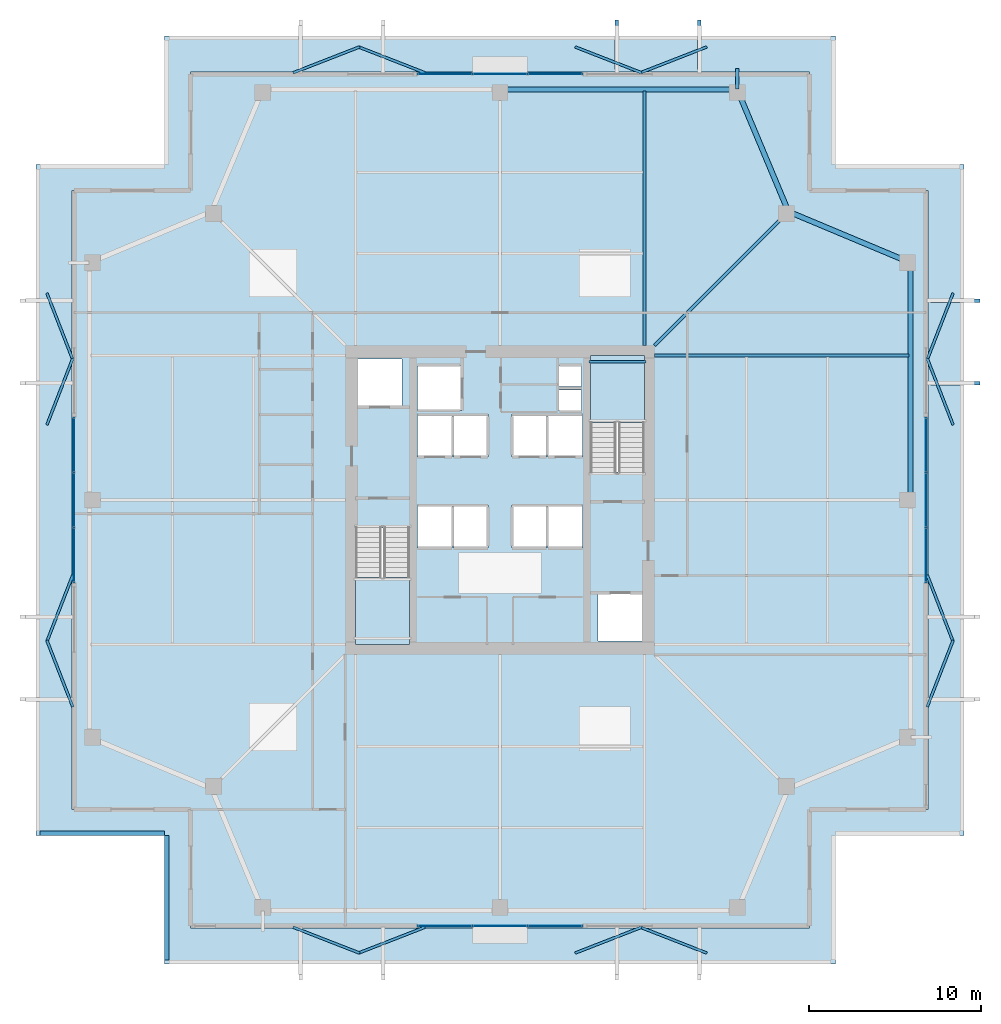
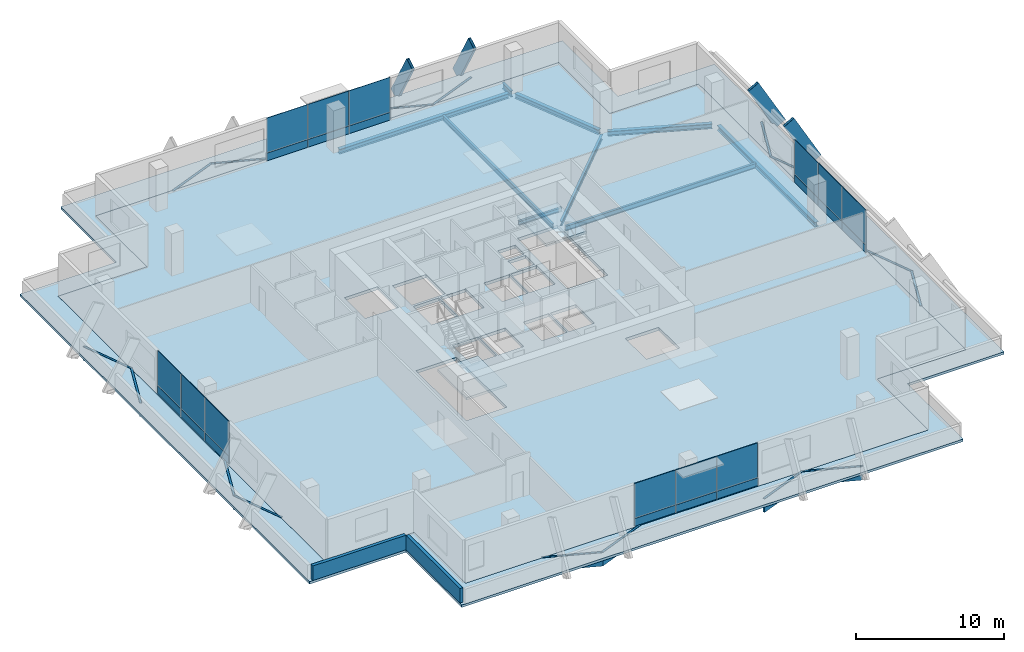
# One storey, part 11 of 17: 40 plates, 9 beams, 4 members, 4 slabs, 2 walls, 6 elements without a shape of their own.
"""IFC4 building model written with IfcOpenShell, lengths in metres."""

from ifc_helpers import new_model, si_unit, direction, frame, frame_2d, origin, origin_2d, place, context, subcontext, project, spatial, polyline, rectangle, hollow_rectangle, i_section, outline, extrude, material, layer, layer_set, material_profile, profile_set, type_object, element, aggregate, save


model = new_model("IFC4")

# Units and contexts
model_context = context("Model", 3, precision=1e-05, world=origin(), true_north=direction((0.0, 1.0)))
body_context = subcontext(model_context, "Body", "Model", "MODEL_VIEW")
ifc_project = project(units=[si_unit("LENGTHUNIT", "METRE"), si_unit("AREAUNIT", "SQUARE_METRE"), si_unit("VOLUMEUNIT", "CUBIC_METRE"), si_unit("PLANEANGLEUNIT", "RADIAN"), si_unit("MASSUNIT", "GRAM", prefix="KILO")], contexts=[model_context])

# Site, building, storey
site_placement = place(None, origin())
site = spatial("IfcSite", under=ifc_project, at=site_placement, CompositionType="ELEMENT")
building_placement = place(site_placement, origin())
building = spatial("IfcBuilding", under=site, at=building_placement, Name="Belovzor Exchange Tower", CompositionType="ELEMENT")
storey_placement = place(building_placement, frame((0.0, 0.0, 246.60009765625)))
storey = spatial("IfcBuildingStorey", under=building, at=storey_placement, Name="L61", CompositionType="ELEMENT", Elevation=246.60009765625)

# Beams
ifc_material_1 = material(Name="Steel S355", Category="steel")
ifc_material_profile_1 = material_profile(ifc_material_1, i_section(OverallWidth=0.199951171875, OverallDepth=0.5, WebThickness=0.01025390625, FlangeThickness=0.01611328125, at=origin_2d()))
ifc_profile_set_1 = profile_set([ifc_material_profile_1], Name="Steel S355")
beam_type_1 = type_object("IfcBeamType", Name="Planted Balcony Cantilever Beam IPE 500", PredefinedType="BEAM", material=ifc_profile_set_1)
beam_1_placement = place(storey_placement, frame((42.60009765625, 52.694091796875, -0.5), z_axis=(0.0, 1.0, 0.0), x_axis=(-1.0, 0.0, 0.0)))
element("IfcBeam", 1, at=beam_1_placement, inside=storey, type_object=beam_type_1, Name="BC-500 Planted Balcony Cantilever Beam IPE 500", PredefinedType="BEAM", context=body_context, shape_type="SweptSolid", body=[
    extrude(i_section(OverallWidth=0.199951171875, OverallDepth=0.5, WebThickness=0.01025390625, FlangeThickness=0.01611328125, at=origin_2d()), origin(), (0.0, 0.0, 1.0), 1.205810546875),
])
ifc_material_2 = material(Name="Steel S355", Category="steel")
ifc_material_profile_2 = material_profile(ifc_material_2, i_section(OverallWidth=0.14990234375, OverallDepth=0.300048828125, WebThickness=0.007080078125, FlangeThickness=0.0107421875, at=origin_2d()))
ifc_profile_set_2 = profile_set([ifc_material_profile_2], Name="Steel S355")
beam_type_2 = type_object("IfcBeamType", Name="Secondary Trim Floor Joist IPE 300", PredefinedType="BEAM", material=ifc_profile_set_2)
beam_2_placement = place(storey_placement, frame((37.280029296875, 36.85009765625, 1.52490234375), z_axis=(-1.0, 0.0, 0.0), x_axis=(0.0, -1.0, 0.0)))
element("IfcBeam", 2, at=beam_2_placement, inside=storey, type_object=beam_type_2, Name="FJ-300 Secondary Trim Floor Joist IPE 300", PredefinedType="BEAM", context=body_context, shape_type="SweptSolid", body=[
    extrude(i_section(OverallWidth=0.14990234375, OverallDepth=0.300048828125, WebThickness=0.007080078125, FlangeThickness=0.0107421875, at=origin_2d()), origin(), (0.0, 0.0, 1.0), 3.31005859375),
])

# Members
ifc_material_3 = material(Name="Extruded Architectural Terracotta on Steel S355 Carrier", Category="masonry")
ifc_material_profile_3 = material_profile(ifc_material_3, hollow_rectangle(XDim=0.199951171875, YDim=0.89990234375, WallThickness=0.011962890625, at=origin_2d()))
ifc_profile_set_3 = profile_set([ifc_material_profile_3], Name="Extruded Architectural Terracotta on Steel S355 Carrier")
member_type = type_object("IfcMemberType", Name="Sweeping Terracotta Baguette Fin Assembly 950", PredefinedType="USERDEFINED", material=ifc_profile_set_3)
for number, where, z_axis, x_axis, name in (
    (3, (35.60009765625, 56.324951171875, -0.25), (0.0, -0.488577422588, 0.872520545396), (1.0, 0.0, 0.0), "FIN-TC095 Terracotta Facade Fin L61 N3"),
    (4, (56.324951171875, 35.60009765625, -0.25), (-0.488577422588, 0.0, 0.872520545396), (0.0, -1.0, 0.0), "FIN-TC095 Terracotta Facade Fin L61 E3"),
    (5, (40.39990234375, 56.324951171875, -0.25), (0.0, -0.488577422588, 0.872520545396), (1.0, 0.0, 0.0), "FIN-TC095 Terracotta Facade Fin L61 N4"),
    (6, (56.324951171875, 40.39990234375, -0.25), (-0.488577422588, 0.0, 0.872520545396), (0.0, -1.0, 0.0), "FIN-TC095 Terracotta Facade Fin L61 E4"),
):
    element("IfcMember", number, at=place(storey_placement, frame(where, z_axis=z_axis, x_axis=x_axis)), inside=storey, type_object=member_type, Name=name, ObjectType="FIN", PredefinedType="USERDEFINED", context=body_context, shape_type="SweptSolid", body=[
        extrude(hollow_rectangle(XDim=0.199951171875, YDim=0.89990234375, WallThickness=0.011962890625, at=origin_2d()), origin(), (0.0, 0.0, 1.0), 4.2978515625),
    ])

# Beams
ifc_material_4 = material(Name="Steel S355", Category="steel")
ifc_material_profile_4 = material_profile(ifc_material_4, i_section(OverallWidth=0.300048828125, OverallDepth=0.39990234375, WebThickness=0.013427734375, FlangeThickness=0.02392578125, at=origin_2d()))
ifc_profile_set_4 = profile_set([ifc_material_profile_4], Name="Steel S355")
beam_type_3 = type_object("IfcBeamType", Name="Zone 5 Primary Girder HEB 400", PredefinedType="BEAM", material=ifc_profile_set_4)
beam_3_placement = place(storey_placement, frame((52.675048828125, 29.10205078125, -0.4501953125), z_axis=(0.0, 1.0, 0.0), x_axis=(-1.0, 0.0, 0.0)))
element("IfcBeam", 7, at=beam_3_placement, inside=storey, type_object=beam_type_3, Name="FG-Z5 Zone 5 Primary Girder HEB 400", PredefinedType="BEAM", context=body_context, shape_type="SweptSolid", body=[
    extrude(i_section(OverallWidth=0.300048828125, OverallDepth=0.39990234375, WebThickness=0.013427734375, FlangeThickness=0.02392578125, at=origin_2d()), origin(), (0.0, 0.0, 1.0), 13.195068359375),
])
for number, where, z_axis, x_axis, name in (
    (8, (52.39599609375, 42.717041015625, -0.4501953125), (-0.922317485455, 0.386432990342, 0.0), (-0.386432990342, -0.922317485455, 0.0), "FG-Z5 Zone 5 Primary Girder HEB 400"),
    (9, (45.4580078125, 45.85400390625, -0.4501953125), (-0.386432990342, 0.922317485455, 0.0), (-0.922317485455, -0.386432990342, 0.0), "FG-Z5 Zone 5 Primary Girder HEB 400"),
):
    element("IfcBeam", number, at=place(storey_placement, frame(where, z_axis=z_axis, x_axis=x_axis)), inside=storey, type_object=beam_type_3, Name=name, PredefinedType="BEAM", context=body_context, shape_type="SweptSolid", body=[
        extrude(i_section(OverallWidth=0.300048828125, OverallDepth=0.39990234375, WebThickness=0.013427734375, FlangeThickness=0.02392578125, at=origin_2d()), origin(), (0.0, 0.0, 1.0), 7.093017578125),
    ])
beam_4_placement = place(storey_placement, frame((42.297119140625, 52.675048828125, -0.4501953125), z_axis=(-1.0, 0.0, 0.0), x_axis=(0.0, -1.0, 0.0)))
element("IfcBeam", 10, at=beam_4_placement, inside=storey, type_object=beam_type_3, Name="FG-Z5 Zone 5 Primary Girder HEB 400", PredefinedType="BEAM", context=body_context, shape_type="SweptSolid", body=[
    extrude(i_section(OverallWidth=0.300048828125, OverallDepth=0.39990234375, WebThickness=0.013427734375, FlangeThickness=0.02392578125, at=origin_2d()), origin(), (0.0, 0.0, 1.0), 13.195068359375),
])
ifc_material_5 = material(Name="Steel S355", Category="steel")
ifc_material_profile_5 = material_profile(ifc_material_5, i_section(OverallWidth=0.179931640625, OverallDepth=0.39990234375, WebThickness=0.008544921875, FlangeThickness=0.013427734375, at=origin_2d()))
ifc_profile_set_5 = profile_set([ifc_material_profile_5], Name="Steel S355")
beam_type_4 = type_object("IfcBeamType", Name="Zone 5-6 Radial Composite Floor Beam IPE 400", PredefinedType="BEAM", material=ifc_profile_set_5)
for number, where, z_axis, x_axis, name in (
    (11, (37.199951171875, 37.800048828125, -0.4501953125), (0.0, 1.0, 0.0), (-1.0, 0.0, 0.0), "FB-400 Zone 5-6 Radial Composite Floor Beam IPE 400"),
    (12, (37.800048828125, 37.199951171875, -0.4501953125), (1.0, 0.0, 0.0), (0.0, 1.0, 0.0), "FB-400 Zone 5-6 Radial Composite Floor Beam IPE 400"),
):
    element("IfcBeam", number, at=place(storey_placement, frame(where, z_axis=z_axis, x_axis=x_axis)), inside=storey, type_object=beam_type_4, Name=name, PredefinedType="BEAM", context=body_context, shape_type="SweptSolid", body=[
        extrude(i_section(OverallWidth=0.179931640625, OverallDepth=0.39990234375, WebThickness=0.008544921875, FlangeThickness=0.013427734375, at=origin_2d()), origin(), (0.0, 0.0, 1.0), 14.800048828125),
    ])
beam_5_placement = place(storey_placement, frame((37.800048828125, 37.800048828125, -0.4501953125), z_axis=(0.707106781187, 0.707106781187, 0.0), x_axis=(-0.707106781187, 0.707106781187, 0.0)))
element("IfcBeam", 13, at=beam_5_placement, inside=storey, type_object=beam_type_4, Name="FB-400 Zone 5-6 Radial Composite Floor Beam IPE 400", PredefinedType="BEAM", context=body_context, shape_type="SweptSolid", body=[
    extrude(i_section(OverallWidth=0.179931640625, OverallDepth=0.39990234375, WebThickness=0.008544921875, FlangeThickness=0.013427734375, at=origin_2d()), origin(), (0.0, 0.0, 1.0), 10.606689453125),
])

# Slab
ifc_material_6 = material(Name="Concrete C40/50", Category="concrete")
ifc_layer_1 = layer(ifc_material_6, 0.25)
ifc_layer_set_1 = layer_set([ifc_layer_1], Name="Concrete C40/50")
slab_type_1 = type_object("IfcSlabType", Name="Composite Concrete Floor Deck Slab 250", PredefinedType="FLOOR", material=ifc_layer_set_1)
slab_1_placement = place(storey_placement, frame((0.0, 0.0, -0.25)))
element("IfcSlab", 14, at=slab_1_placement, inside=storey, type_object=slab_type_1, Name="SL-F250 Structural Slab L61", PredefinedType="FLOOR", context=body_context, shape_type="SweptSolid", body=[
    extrude(outline(polyline([(10.800048828125, 3.89990234375), (46.800048828125, 3.89990234375), (46.800048828125, 10.800048828125), (53.699951171875, 10.800048828125), (53.699951171875, 46.800048828125), (46.800048828125, 46.800048828125), (46.800048828125, 53.699951171875), (10.800048828125, 53.699951171875), (10.800048828125, 46.800048828125), (3.89990234375, 46.800048828125), (3.89990234375, 10.800048828125), (10.800048828125, 10.800048828125), (10.800048828125, 3.89990234375)]), holes=[polyline([(20.39990234375, 27.175048828125), (20.39990234375, 20.39990234375), (23.550048828125, 20.39990234375), (23.550048828125, 27.175048828125), (20.39990234375, 27.175048828125)]), polyline([(37.199951171875, 30.425048828125), (37.199951171875, 37.199951171875), (34.050048828125, 37.199951171875), (34.050048828125, 30.425048828125), (37.199951171875, 30.425048828125)]), polyline([(20.5, 34.199951171875), (23.10009765625, 34.199951171875), (23.10009765625, 37.0), (20.5, 37.0), (20.5, 34.199951171875)]), polyline([(34.5, 20.60009765625), (37.10009765625, 20.60009765625), (37.10009765625, 23.39990234375), (34.5, 23.39990234375), (34.5, 20.60009765625)]), polyline([(24.0, 34.0), (26.60009765625, 34.0), (26.60009765625, 36.60009765625), (24.0, 36.60009765625), (24.0, 34.0)]), polyline([(24.0, 26.0), (26.0, 26.0), (26.0, 28.5), (24.0, 28.5), (24.0, 26.0)]), polyline([(26.10009765625, 26.0), (28.10009765625, 26.0), (28.10009765625, 28.5), (26.10009765625, 28.5), (26.10009765625, 26.0)]), polyline([(29.5, 26.0), (31.5, 26.0), (31.5, 28.5), (29.5, 28.5), (29.5, 26.0)]), polyline([(31.60009765625, 26.0), (33.60009765625, 26.0), (33.60009765625, 28.5), (31.60009765625, 28.5), (31.60009765625, 26.0)]), polyline([(24.0, 31.300048828125), (26.0, 31.300048828125), (26.0, 33.800048828125), (24.0, 33.800048828125), (24.0, 31.300048828125)]), polyline([(26.10009765625, 31.300048828125), (28.10009765625, 31.300048828125), (28.10009765625, 33.800048828125), (26.10009765625, 33.800048828125), (26.10009765625, 31.300048828125)]), polyline([(29.5, 31.300048828125), (31.5, 31.300048828125), (31.5, 33.800048828125), (29.5, 33.800048828125), (29.5, 31.300048828125)]), polyline([(31.60009765625, 31.300048828125), (33.60009765625, 31.300048828125), (33.60009765625, 33.800048828125), (31.60009765625, 33.800048828125), (31.60009765625, 31.300048828125)]), polyline([(32.199951171875, 34.0), (33.550048828125, 34.0), (33.550048828125, 35.199951171875), (32.199951171875, 35.199951171875), (32.199951171875, 34.0)]), polyline([(32.199951171875, 35.39990234375), (33.550048828125, 35.39990234375), (33.550048828125, 36.60009765625), (32.199951171875, 36.60009765625), (32.199951171875, 35.39990234375)])]), origin(), (0.0, 0.0, 1.0), 0.25),
])

# Curtain wall, plates
ifc_material_7 = material(Name="Anodised Aluminium Framing", Category="aluminium")
ifc_layer_2 = layer(ifc_material_7, 0.179931640625)
ifc_layer_set_2 = layer_set([ifc_layer_2], Name="Anodised Aluminium Framing")
curtain_wall_type = type_object("IfcCurtainWallType", Name="Recessed Loggia Low-Iron Triple-Glazed Curtain Wall", PredefinedType="NOTDEFINED", material=ifc_layer_set_2)
curtain_wall_1_placement = place(storey_placement, origin())
curtain_wall_1 = element("IfcCurtainWall", 15, at=curtain_wall_1_placement, inside=storey, type_object=curtain_wall_type, Name="CW3 Recessed Loggia Low-Iron Triple-Glazed Curtain Wall L61", PredefinedType="NOTDEFINED")
ifc_material_8 = material(Name="Solar-Control Triple Glazing", Category="glass")
ifc_layer_3 = layer(ifc_material_8, 0.0439453125)
ifc_layer_set_3 = layer_set([ifc_layer_3], Name="Solar-Control Triple Glazing")
plate_type_1 = type_object("IfcPlateType", Name="Insulated Solar Glazing Curtain Panel 44", PredefinedType="CURTAIN_PANEL", material=ifc_layer_set_3)
plate_1_placement = place(storey_placement, frame((32.0, 4.030029296875, 0.6318359375), z_axis=(0.0, 0.0, 1.0), x_axis=(-1.0, 0.0, 0.0)))
plate_1 = element("IfcPlate", 16, at=plate_1_placement, type_object=plate_type_1, Name="GLZ-44 Glazed Curtain Panel 1", PredefinedType="CURTAIN_PANEL", context=body_context, shape_type="SweptSolid", body=[
    extrude(rectangle(XDim=3.18408203125, YDim=0.0439453125, at=origin_2d()), origin(), (0.0, 0.0, 1.0), 2.867919921875),
])
plate_2_placement = place(storey_placement, frame((28.800048828125, 4.030029296875, 0.6318359375), z_axis=(0.0, 0.0, 1.0), x_axis=(-1.0, 0.0, 0.0)))
plate_2 = element("IfcPlate", 17, at=plate_2_placement, type_object=plate_type_1, Name="GLZ-44 Glazed Curtain Panel 2", PredefinedType="CURTAIN_PANEL", context=body_context, shape_type="SweptSolid", body=[
    extrude(rectangle(XDim=3.18408203125, YDim=0.0439453125, at=origin_2d()), origin(), (0.0, 0.0, 1.0), 2.867919921875),
])
plate_3_placement = place(storey_placement, frame((25.60009765625, 4.030029296875, 0.6318359375), z_axis=(0.0, 0.0, 1.0), x_axis=(-1.0, 0.0, 0.0)))
plate_3 = element("IfcPlate", 18, at=plate_3_placement, type_object=plate_type_1, Name="GLZ-44 Glazed Curtain Panel 3", PredefinedType="CURTAIN_PANEL", context=body_context, shape_type="SweptSolid", body=[
    extrude(rectangle(XDim=3.18408203125, YDim=0.0439453125, at=origin_2d()), origin(), (0.0, 0.0, 1.0), 2.867919921875),
])

curtain_wall_2_placement = place(storey_placement, origin())
curtain_wall_2 = element("IfcCurtainWall", 19, at=curtain_wall_2_placement, inside=storey, type_object=curtain_wall_type, Name="CW3 Recessed Loggia Low-Iron Triple-Glazed Curtain Wall L61", PredefinedType="NOTDEFINED")
plate_4_placement = place(storey_placement, frame((25.60009765625, 53.570068359375, 0.6318359375), z_axis=(0.0, 0.0, 1.0), x_axis=(1.0, 0.0, 0.0)))
plate_4 = element("IfcPlate", 20, at=plate_4_placement, type_object=plate_type_1, Name="GLZ-44 Glazed Curtain Panel 1", PredefinedType="CURTAIN_PANEL", context=body_context, shape_type="SweptSolid", body=[
    extrude(rectangle(XDim=3.18408203125, YDim=0.0439453125, at=origin_2d()), origin(), (0.0, 0.0, 1.0), 2.867919921875),
])
plate_5_placement = place(storey_placement, frame((28.800048828125, 53.570068359375, 0.6318359375), z_axis=(0.0, 0.0, 1.0), x_axis=(1.0, 0.0, 0.0)))
plate_5 = element("IfcPlate", 21, at=plate_5_placement, type_object=plate_type_1, Name="GLZ-44 Glazed Curtain Panel 2", PredefinedType="CURTAIN_PANEL", context=body_context, shape_type="SweptSolid", body=[
    extrude(rectangle(XDim=3.18408203125, YDim=0.0439453125, at=origin_2d()), origin(), (0.0, 0.0, 1.0), 2.867919921875),
])
plate_6_placement = place(storey_placement, frame((32.0, 53.570068359375, 0.6318359375), z_axis=(0.0, 0.0, 1.0), x_axis=(1.0, 0.0, 0.0)))
plate_6 = element("IfcPlate", 22, at=plate_6_placement, type_object=plate_type_1, Name="GLZ-44 Glazed Curtain Panel 3", PredefinedType="CURTAIN_PANEL", context=body_context, shape_type="SweptSolid", body=[
    extrude(rectangle(XDim=3.18408203125, YDim=0.0439453125, at=origin_2d()), origin(), (0.0, 0.0, 1.0), 2.867919921875),
])

curtain_wall_3_placement = place(storey_placement, origin())
curtain_wall_3 = element("IfcCurtainWall", 23, at=curtain_wall_3_placement, inside=storey, type_object=curtain_wall_type, Name="CW3 Recessed Loggia Low-Iron Triple-Glazed Curtain Wall L61", PredefinedType="NOTDEFINED")
plate_7_placement = place(storey_placement, frame((4.030029296875, 25.60009765625, 0.6318359375), z_axis=(0.0, 0.0, 1.0), x_axis=(0.0, 1.0, 0.0)))
plate_7 = element("IfcPlate", 24, at=plate_7_placement, type_object=plate_type_1, Name="GLZ-44 Glazed Curtain Panel 1", PredefinedType="CURTAIN_PANEL", context=body_context, shape_type="SweptSolid", body=[
    extrude(rectangle(XDim=3.18408203125, YDim=0.0439453125, at=origin_2d()), origin(), (0.0, 0.0, 1.0), 2.867919921875),
])
plate_8_placement = place(storey_placement, frame((4.030029296875, 28.800048828125, 0.6318359375), z_axis=(0.0, 0.0, 1.0), x_axis=(0.0, 1.0, 0.0)))
plate_8 = element("IfcPlate", 25, at=plate_8_placement, type_object=plate_type_1, Name="GLZ-44 Glazed Curtain Panel 2", PredefinedType="CURTAIN_PANEL", context=body_context, shape_type="SweptSolid", body=[
    extrude(rectangle(XDim=3.18408203125, YDim=0.0439453125, at=origin_2d()), origin(), (0.0, 0.0, 1.0), 2.867919921875),
])
plate_9_placement = place(storey_placement, frame((4.030029296875, 32.0, 0.6318359375), z_axis=(0.0, 0.0, 1.0), x_axis=(0.0, 1.0, 0.0)))
plate_9 = element("IfcPlate", 26, at=plate_9_placement, type_object=plate_type_1, Name="GLZ-44 Glazed Curtain Panel 3", PredefinedType="CURTAIN_PANEL", context=body_context, shape_type="SweptSolid", body=[
    extrude(rectangle(XDim=3.18408203125, YDim=0.0439453125, at=origin_2d()), origin(), (0.0, 0.0, 1.0), 2.867919921875),
])

curtain_wall_4_placement = place(storey_placement, origin())
curtain_wall_4 = element("IfcCurtainWall", 27, at=curtain_wall_4_placement, inside=storey, type_object=curtain_wall_type, Name="CW3 Recessed Loggia Low-Iron Triple-Glazed Curtain Wall L61", PredefinedType="NOTDEFINED")
plate_10_placement = place(storey_placement, frame((53.570068359375, 32.0, 0.6318359375), z_axis=(0.0, 0.0, 1.0), x_axis=(0.0, -1.0, 0.0)))
plate_10 = element("IfcPlate", 28, at=plate_10_placement, type_object=plate_type_1, Name="GLZ-44 Glazed Curtain Panel 1", PredefinedType="CURTAIN_PANEL", context=body_context, shape_type="SweptSolid", body=[
    extrude(rectangle(XDim=3.18408203125, YDim=0.0439453125, at=origin_2d()), origin(), (0.0, 0.0, 1.0), 2.867919921875),
])
plate_11_placement = place(storey_placement, frame((53.570068359375, 28.800048828125, 0.6318359375), z_axis=(0.0, 0.0, 1.0), x_axis=(0.0, -1.0, 0.0)))
plate_11 = element("IfcPlate", 29, at=plate_11_placement, type_object=plate_type_1, Name="GLZ-44 Glazed Curtain Panel 2", PredefinedType="CURTAIN_PANEL", context=body_context, shape_type="SweptSolid", body=[
    extrude(rectangle(XDim=3.18408203125, YDim=0.0439453125, at=origin_2d()), origin(), (0.0, 0.0, 1.0), 2.867919921875),
])
plate_12_placement = place(storey_placement, frame((53.570068359375, 25.60009765625, 0.6318359375), z_axis=(0.0, 0.0, 1.0), x_axis=(0.0, -1.0, 0.0)))
plate_12 = element("IfcPlate", 30, at=plate_12_placement, type_object=plate_type_1, Name="GLZ-44 Glazed Curtain Panel 3", PredefinedType="CURTAIN_PANEL", context=body_context, shape_type="SweptSolid", body=[
    extrude(rectangle(XDim=3.18408203125, YDim=0.0439453125, at=origin_2d()), origin(), (0.0, 0.0, 1.0), 2.867919921875),
])

# Stair, slab
ifc_material_9 = material(Name="Concrete C40/50", Category="concrete")
stair_type = type_object("IfcStairType", Name="Reinforced Concrete Dogleg Escape Stair 1350", PredefinedType="HALF_TURN_STAIR", material=ifc_material_9)
stair_1_placement = place(storey_placement, origin())
stair_1 = element("IfcStair", 31, at=stair_1_placement, inside=storey, type_object=stair_type, Name="L61 ST-1", PredefinedType="HALF_TURN_STAIR")
ifc_material_10 = material(Name="Concrete C40/50", Category="concrete")
ifc_layer_4 = layer(ifc_material_10, 0.199951171875)
ifc_layer_set_4 = layer_set([ifc_layer_4], Name="Concrete C40/50")
slab_type_2 = type_object("IfcSlabType", Name="Reinforced Concrete Stair Half-Landing Slab 200", PredefinedType="LANDING", material=ifc_layer_set_4)
slab_2_placement = place(storey_placement, frame((0.0, 0.0, 1.6748046875)))
slab_2 = element("IfcSlab", 32, at=slab_2_placement, type_object=slab_type_2, Name="ST-1 landing 1", PredefinedType="LANDING", context=body_context, shape_type="SweptSolid", body=[
    extrude(outline(polyline([(20.39990234375, 24.300048828125), (20.39990234375, 20.39990234375), (23.550048828125, 20.39990234375), (23.550048828125, 24.300048828125), (20.39990234375, 24.300048828125)])), origin(), (0.0, 0.0, 1.0), 0.2001953125),
])
aggregate(stair_1, [slab_2])

stair_2_placement = place(storey_placement, origin())
stair_2 = element("IfcStair", 33, at=stair_2_placement, inside=storey, type_object=stair_type, Name="L61 ST-2", PredefinedType="HALF_TURN_STAIR")
slab_3_placement = place(storey_placement, frame((0.0, 0.0, 1.6748046875)))
slab_3 = element("IfcSlab", 34, at=slab_3_placement, type_object=slab_type_2, Name="ST-2 landing 1", PredefinedType="LANDING", context=body_context, shape_type="SweptSolid", body=[
    extrude(outline(polyline([(37.199951171875, 33.300048828125), (37.199951171875, 37.199951171875), (34.050048828125, 37.199951171875), (34.050048828125, 33.300048828125), (37.199951171875, 33.300048828125)])), origin(), (0.0, 0.0, 1.0), 0.2001953125),
])
aggregate(stair_2, [slab_3])

# Slab
ifc_material_11 = material(Name="Concrete C40/50", Category="concrete")
ifc_layer_5 = layer(ifc_material_11, 0.199951171875)
ifc_layer_set_5 = layer_set([ifc_layer_5], Name="Concrete C40/50")
slab_type_3 = type_object("IfcSlabType", Name="Setback Weathering Roof Ring Slab 200", PredefinedType="ROOF", material=ifc_layer_set_5)
slab_4_placement = place(storey_placement, frame((0.0, 0.0, -0.2001953125)))
element("IfcSlab", 35, at=slab_4_placement, inside=storey, type_object=slab_type_3, Name="SL-RF200A Setback Weathering Roof Ring L60", PredefinedType="ROOF", context=body_context, shape_type="SweptSolid", body=[
    extrude(outline(polyline([(9.300048828125, 1.800048828125), (48.300048828125, 1.800048828125), (48.300048828125, 9.300048828125), (55.800048828125, 9.300048828125), (55.800048828125, 48.300048828125), (48.300048828125, 48.300048828125), (48.300048828125, 55.800048828125), (9.300048828125, 55.800048828125), (9.300048828125, 48.300048828125), (1.800048828125, 48.300048828125), (1.800048828125, 9.300048828125), (9.300048828125, 9.300048828125), (9.300048828125, 1.800048828125)]), holes=[polyline([(10.800048828125, 3.89990234375), (46.800048828125, 3.89990234375), (46.800048828125, 10.800048828125), (53.699951171875, 10.800048828125), (53.699951171875, 46.800048828125), (46.800048828125, 46.800048828125), (46.800048828125, 53.699951171875), (10.800048828125, 53.699951171875), (10.800048828125, 46.800048828125), (3.89990234375, 46.800048828125), (3.89990234375, 10.800048828125), (10.800048828125, 10.800048828125), (10.800048828125, 3.89990234375)])]), origin(), (0.0, 0.0, 1.0), 0.2001953125),
])

# Plate
ifc_material_12 = material(Name="Extruded Architectural Terracotta", Category="masonry")
ifc_layer_6 = layer(ifc_material_12, 0.090087890625)
ifc_layer_set_6 = layer_set([ifc_layer_6], Name="Extruded Architectural Terracotta")
plate_type_2 = type_object("IfcPlateType", Name="Terracotta Shadow-Box Spandrel Panel 90", PredefinedType="CURTAIN_PANEL", material=ifc_layer_set_6)
plate_13_placement = place(storey_placement, frame((32.0, 4.030029296875, 0.0), z_axis=(0.0, 0.0, 1.0), x_axis=(-1.0, 0.0, 0.0)))
plate_13 = element("IfcPlate", 36, at=plate_13_placement, type_object=plate_type_2, Name="SPD-90 Spandrel Panel 1", PredefinedType="CURTAIN_PANEL", context=body_context, shape_type="SweptSolid", body=[
    extrude(rectangle(XDim=3.18408203125, YDim=0.090087890625, at=origin_2d()), origin(), (0.0, 0.0, 1.0), 0.6279296875),
])

plate_14_placement = place(storey_placement, frame((28.800048828125, 4.030029296875, 0.0), z_axis=(0.0, 0.0, 1.0), x_axis=(-1.0, 0.0, 0.0)))
plate_14 = element("IfcPlate", 37, at=plate_14_placement, type_object=plate_type_2, Name="SPD-90 Spandrel Panel 2", PredefinedType="CURTAIN_PANEL", context=body_context, shape_type="SweptSolid", body=[
    extrude(rectangle(XDim=3.18408203125, YDim=0.090087890625, at=origin_2d()), origin(), (0.0, 0.0, 1.0), 0.6279296875),
])

plate_15_placement = place(storey_placement, frame((25.60009765625, 4.030029296875, 0.0), z_axis=(0.0, 0.0, 1.0), x_axis=(-1.0, 0.0, 0.0)))
plate_15 = element("IfcPlate", 38, at=plate_15_placement, type_object=plate_type_2, Name="SPD-90 Spandrel Panel 3", PredefinedType="CURTAIN_PANEL", context=body_context, shape_type="SweptSolid", body=[
    extrude(rectangle(XDim=3.18408203125, YDim=0.090087890625, at=origin_2d()), origin(), (0.0, 0.0, 1.0), 0.6279296875),
])

aggregate(curtain_wall_1, [plate_13, plate_1, plate_14, plate_2, plate_15, plate_3])

plate_16_placement = place(storey_placement, frame((25.60009765625, 53.570068359375, 0.0), z_axis=(0.0, 0.0, 1.0), x_axis=(1.0, 0.0, 0.0)))
plate_16 = element("IfcPlate", 39, at=plate_16_placement, type_object=plate_type_2, Name="SPD-90 Spandrel Panel 1", PredefinedType="CURTAIN_PANEL", context=body_context, shape_type="SweptSolid", body=[
    extrude(rectangle(XDim=3.18408203125, YDim=0.090087890625, at=origin_2d()), origin(), (0.0, 0.0, 1.0), 0.6279296875),
])

plate_17_placement = place(storey_placement, frame((28.800048828125, 53.570068359375, 0.0), z_axis=(0.0, 0.0, 1.0), x_axis=(1.0, 0.0, 0.0)))
plate_17 = element("IfcPlate", 40, at=plate_17_placement, type_object=plate_type_2, Name="SPD-90 Spandrel Panel 2", PredefinedType="CURTAIN_PANEL", context=body_context, shape_type="SweptSolid", body=[
    extrude(rectangle(XDim=3.18408203125, YDim=0.090087890625, at=origin_2d()), origin(), (0.0, 0.0, 1.0), 0.6279296875),
])

plate_18_placement = place(storey_placement, frame((32.0, 53.570068359375, 0.0), z_axis=(0.0, 0.0, 1.0), x_axis=(1.0, 0.0, 0.0)))
plate_18 = element("IfcPlate", 41, at=plate_18_placement, type_object=plate_type_2, Name="SPD-90 Spandrel Panel 3", PredefinedType="CURTAIN_PANEL", context=body_context, shape_type="SweptSolid", body=[
    extrude(rectangle(XDim=3.18408203125, YDim=0.090087890625, at=origin_2d()), origin(), (0.0, 0.0, 1.0), 0.6279296875),
])

aggregate(curtain_wall_2, [plate_16, plate_4, plate_17, plate_5, plate_18, plate_6])

plate_19_placement = place(storey_placement, frame((4.030029296875, 25.60009765625, 0.0), z_axis=(0.0, 0.0, 1.0), x_axis=(0.0, 1.0, 0.0)))
plate_19 = element("IfcPlate", 42, at=plate_19_placement, type_object=plate_type_2, Name="SPD-90 Spandrel Panel 1", PredefinedType="CURTAIN_PANEL", context=body_context, shape_type="SweptSolid", body=[
    extrude(rectangle(XDim=3.18408203125, YDim=0.090087890625, at=origin_2d()), origin(), (0.0, 0.0, 1.0), 0.6279296875),
])

plate_20_placement = place(storey_placement, frame((4.030029296875, 28.800048828125, 0.0), z_axis=(0.0, 0.0, 1.0), x_axis=(0.0, 1.0, 0.0)))
plate_20 = element("IfcPlate", 43, at=plate_20_placement, type_object=plate_type_2, Name="SPD-90 Spandrel Panel 2", PredefinedType="CURTAIN_PANEL", context=body_context, shape_type="SweptSolid", body=[
    extrude(rectangle(XDim=3.18408203125, YDim=0.090087890625, at=origin_2d()), origin(), (0.0, 0.0, 1.0), 0.6279296875),
])

plate_21_placement = place(storey_placement, frame((4.030029296875, 32.0, 0.0), z_axis=(0.0, 0.0, 1.0), x_axis=(0.0, 1.0, 0.0)))
plate_21 = element("IfcPlate", 44, at=plate_21_placement, type_object=plate_type_2, Name="SPD-90 Spandrel Panel 3", PredefinedType="CURTAIN_PANEL", context=body_context, shape_type="SweptSolid", body=[
    extrude(rectangle(XDim=3.18408203125, YDim=0.090087890625, at=origin_2d()), origin(), (0.0, 0.0, 1.0), 0.6279296875),
])

aggregate(curtain_wall_3, [plate_19, plate_7, plate_20, plate_8, plate_21, plate_9])

plate_22_placement = place(storey_placement, frame((53.570068359375, 32.0, 0.0), z_axis=(0.0, 0.0, 1.0), x_axis=(0.0, -1.0, 0.0)))
plate_22 = element("IfcPlate", 45, at=plate_22_placement, type_object=plate_type_2, Name="SPD-90 Spandrel Panel 1", PredefinedType="CURTAIN_PANEL", context=body_context, shape_type="SweptSolid", body=[
    extrude(rectangle(XDim=3.18408203125, YDim=0.090087890625, at=origin_2d()), origin(), (0.0, 0.0, 1.0), 0.6279296875),
])

plate_23_placement = place(storey_placement, frame((53.570068359375, 28.800048828125, 0.0), z_axis=(0.0, 0.0, 1.0), x_axis=(0.0, -1.0, 0.0)))
plate_23 = element("IfcPlate", 46, at=plate_23_placement, type_object=plate_type_2, Name="SPD-90 Spandrel Panel 2", PredefinedType="CURTAIN_PANEL", context=body_context, shape_type="SweptSolid", body=[
    extrude(rectangle(XDim=3.18408203125, YDim=0.090087890625, at=origin_2d()), origin(), (0.0, 0.0, 1.0), 0.6279296875),
])

plate_24_placement = place(storey_placement, frame((53.570068359375, 25.60009765625, 0.0), z_axis=(0.0, 0.0, 1.0), x_axis=(0.0, -1.0, 0.0)))
plate_24 = element("IfcPlate", 47, at=plate_24_placement, type_object=plate_type_2, Name="SPD-90 Spandrel Panel 3", PredefinedType="CURTAIN_PANEL", context=body_context, shape_type="SweptSolid", body=[
    extrude(rectangle(XDim=3.18408203125, YDim=0.090087890625, at=origin_2d()), origin(), (0.0, 0.0, 1.0), 0.6279296875),
])

aggregate(curtain_wall_4, [plate_22, plate_10, plate_23, plate_11, plate_24, plate_12])

# Plates
ifc_material_13 = material(Name="Extruded Architectural Terracotta", Category="masonry")
ifc_layer_7 = layer(ifc_material_13, 0.14990234375)
ifc_layer_set_7 = layer_set([ifc_layer_7], Name="Extruded Architectural Terracotta")
plate_type_3 = type_object("IfcPlateType", Name="Upper-Crown Deep Folded Zigzag Terracotta Spandrel Louvre 150", PredefinedType="USERDEFINED", material=ifc_layer_set_7)
for number, where, z_axis, x_axis, name in (
    (48, (18.699951171875, 3.199951171875, -1.105224609375), (0.0, 0.0, 1.0), (0.931817969421, -0.362925986758, 0.0), "LVR-ZZ3 Zigzag Terracotta Spandrel Louvre L61 S1A"),
    (49, (22.5, 3.199951171875, -1.105224609375), (0.0, 0.0, 1.0), (0.931817969421, 0.362925986758, 0.0), "LVR-ZZ3 Zigzag Terracotta Spandrel Louvre L61 S1B"),
    (50, (18.699951171875, 54.39990234375, -1.105224609375), (0.0, 0.0, 1.0), (0.931817969421, 0.362925986758, 0.0), "LVR-ZZ3 Zigzag Terracotta Spandrel Louvre L61 N1A"),
    (51, (22.5, 54.39990234375, -1.105224609375), (0.0, 0.0, 1.0), (0.931817969421, -0.362925986758, 0.0), "LVR-ZZ3 Zigzag Terracotta Spandrel Louvre L61 N1B"),
    (52, (3.199951171875, 18.699951171875, -1.105224609375), (0.0, 0.0, 1.0), (-0.362925986758, 0.931817969421, 0.0), "LVR-ZZ3 Zigzag Terracotta Spandrel Louvre L61 W1A"),
    (53, (3.199951171875, 22.5, -1.105224609375), (0.0, 0.0, 1.0), (0.362925986758, 0.931817969421, 0.0), "LVR-ZZ3 Zigzag Terracotta Spandrel Louvre L61 W1B"),
    (54, (54.39990234375, 18.699951171875, -1.105224609375), (0.0, 0.0, 1.0), (0.362925986758, 0.931817969421, 0.0), "LVR-ZZ3 Zigzag Terracotta Spandrel Louvre L61 E1A"),
    (55, (54.39990234375, 22.5, -1.105224609375), (0.0, 0.0, 1.0), (-0.362925986758, 0.931817969421, 0.0), "LVR-ZZ3 Zigzag Terracotta Spandrel Louvre L61 E1B"),
    (56, (35.10009765625, 3.199951171875, -1.105224609375), (0.0, 0.0, 1.0), (0.931817969421, 0.362925986758, 0.0), "LVR-ZZ3 Zigzag Terracotta Spandrel Louvre L61 S2A"),
    (57, (38.89990234375, 3.199951171875, -1.105224609375), (0.0, 0.0, 1.0), (0.931817969421, -0.362925986758, 0.0), "LVR-ZZ3 Zigzag Terracotta Spandrel Louvre L61 S2B"),
    (58, (35.10009765625, 54.39990234375, -1.105224609375), (0.0, 0.0, 1.0), (0.931817969421, -0.362925986758, 0.0), "LVR-ZZ3 Zigzag Terracotta Spandrel Louvre L61 N2A"),
    (59, (38.89990234375, 54.39990234375, -1.105224609375), (0.0, 0.0, 1.0), (0.931817969421, 0.362925986758, 0.0), "LVR-ZZ3 Zigzag Terracotta Spandrel Louvre L61 N2B"),
    (60, (3.199951171875, 35.10009765625, -1.105224609375), (0.0, 0.0, 1.0), (0.362925986758, 0.931817969421, 0.0), "LVR-ZZ3 Zigzag Terracotta Spandrel Louvre L61 W2A"),
    (61, (3.199951171875, 38.89990234375, -1.105224609375), (0.0, 0.0, 1.0), (-0.362925986758, 0.931817969421, 0.0), "LVR-ZZ3 Zigzag Terracotta Spandrel Louvre L61 W2B"),
    (62, (54.39990234375, 35.10009765625, -1.105224609375), (0.0, 0.0, 1.0), (-0.362925986758, 0.931817969421, 0.0), "LVR-ZZ3 Zigzag Terracotta Spandrel Louvre L61 E2A"),
    (63, (54.39990234375, 38.89990234375, -1.105224609375), (0.0, 0.0, 1.0), (0.362925986758, 0.931817969421, 0.0), "LVR-ZZ3 Zigzag Terracotta Spandrel Louvre L61 E2B"),
):
    element("IfcPlate", number, at=place(storey_placement, frame(where, z_axis=z_axis, x_axis=x_axis)), inside=storey, type_object=plate_type_3, Name=name, ObjectType="SPANDREL_LOUVRE", PredefinedType="USERDEFINED", context=body_context, shape_type="SweptSolid", body=[
        extrude(rectangle(XDim=4.157958984375, YDim=0.14990234375, at=origin_2d()), origin(), (0.0, 0.0, 1.0), 1.1201171875),
    ])

# Walls
ifc_material_14 = material(Name="Precast concrete C40/50", Category="concrete")
ifc_layer_8 = layer(ifc_material_14, 0.239990234375)
ifc_layer_set_8 = layer_set([ifc_layer_8], Name="Precast concrete C40/50")
wall_type = type_object("IfcWallType", Name="Precast Stone Setback Roof Parapet Wall 240", PredefinedType="PARAPET", material=ifc_layer_set_8)
for number, where, z_axis, x_axis, name in (
    (64, (2.054931640625, 9.419921875, 0.0), (0.0, 0.0, 1.0), (1.0, 0.0, 0.0), "W-PAR240 Precast Stone Setback Roof Parapet Wall 240 L61"),
    (65, (9.419921875, 9.284912109375, 0.0), (0.0, 0.0, 1.0), (0.0, -1.0, 0.0), "W-PAR240 Precast Stone Setback Roof Parapet Wall 240 L61"),
):
    element("IfcWall", number, at=place(storey_placement, frame(where, z_axis=z_axis, x_axis=x_axis)), inside=storey, type_object=wall_type, Name=name, PredefinedType="PARAPET", context=body_context, shape_type="SweptSolid", body=[
        extrude(rectangle(XDim=7.22998046875, YDim=0.239990234375, at=frame_2d((3.614990234375, 0.0))), origin(), (0.0, 0.0, 1.0), 1.199951171875),
    ])

save(model, "model.ifc")
